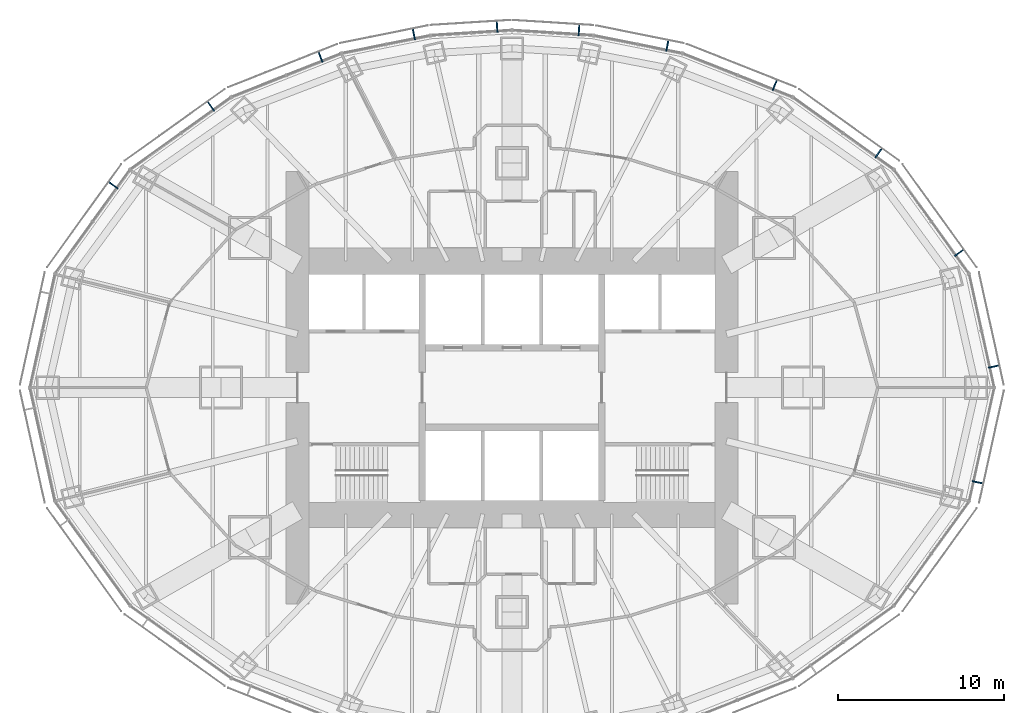
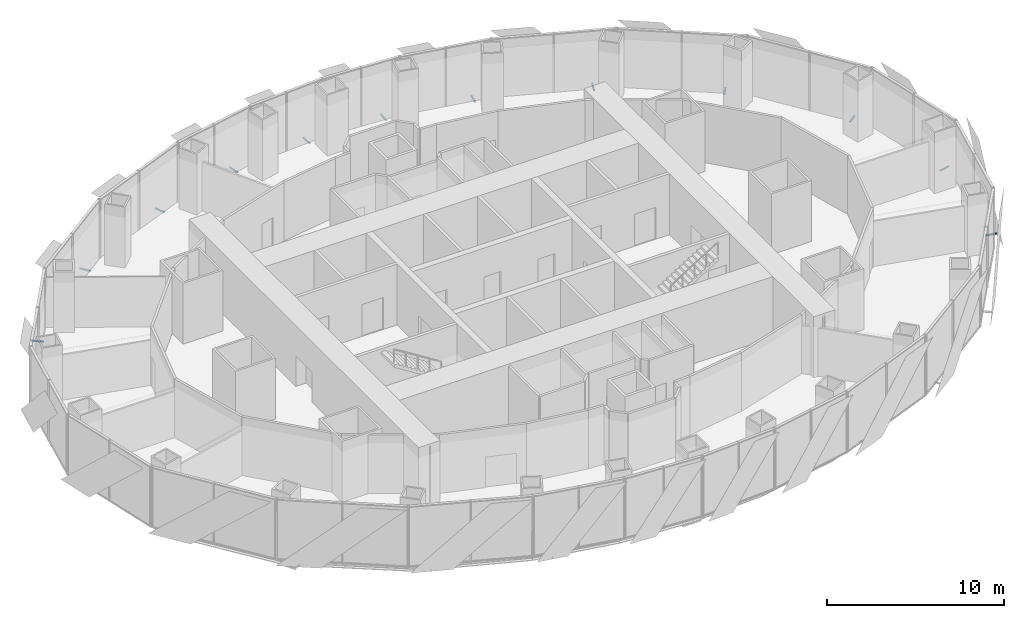
# One storey, part 14 of 17: 12 discrete accessories.
"""IFC4 building model written with IfcOpenShell, lengths in metres."""

import ifcopenshell
import ifcopenshell.guid

model = None  # the IFC model being written
_history = None  # IfcOwnerHistory: only IFC2X3 demands one
_inside = {}  # id of a spatial element -> (the spatial element, [elements in it])
_under = {}  # id of a project, library or spatial element -> (it, [spatial elements below it])
_declared = {}  # id of a project -> (the project, [libraries it declares])
_typed = {}  # id of a type object -> (the type object, [elements of that type])
_made_of = {}  # id of a material, layer set ... -> (it, [elements and type objects made of it])


def new_model(schema):
    """Start an empty IFC model of exactly this schema.

    Asked for "IFC4X3", IfcOpenShell would pick the latest addendum, in which some entities
    have other attributes; the version numbers below select the first issue.
    IFC2X3 requires an IfcOwnerHistory on every rooted entity: one is made here for all.
    """
    global model, _history
    if schema == "IFC4X3":
        model = ifcopenshell.file(schema_version=(4, 3, 0, 0))
    else:
        model = ifcopenshell.file(schema=schema)
    _inside.clear()
    _under.clear()
    _declared.clear()
    _typed.clear()
    _made_of.clear()
    _history = None
    if model.schema == "IFC2X3":
        org = make("IfcOrganization", Name="unknown")
        user = make(
            "IfcPersonAndOrganization",
            ThePerson=make("IfcPerson", FamilyName="unknown"),
            TheOrganization=org,
        )
        app = make(
            "IfcApplication",
            ApplicationDeveloper=org,
            Version="unknown",
            ApplicationFullName="unknown",
            ApplicationIdentifier="unknown",
        )
        _history = make(
            "IfcOwnerHistory",
            OwningUser=user,
            OwningApplication=app,
            ChangeAction="ADDED",
            CreationDate=0,
        )
    return model


def make(cls, **values):
    """One entity of the class cls with the attributes given. An attribute that is None is left unset."""
    return model.create_entity(
        cls, **{name: value for name, value in values.items() if value is not None}
    )


def rooted(cls, **values):
    """An entity with a GlobalId (a new one), such as an element, a storey or a relation."""
    return make(cls, GlobalId=ifcopenshell.guid.new(), OwnerHistory=_history, **values)


def si_unit(unit_type, name, prefix=None):
    """IfcSIUnit, for example si_unit("LENGTHUNIT", "METRE", prefix="MILLI")."""
    return make("IfcSIUnit", UnitType=unit_type, Prefix=prefix, Name=name)


def assignment(units):
    """IfcUnitAssignment: the units of a project."""
    return None if units is None else make("IfcUnitAssignment", Units=units)


def point(xyz):
    """IfcCartesianPoint."""
    return None if xyz is None else make("IfcCartesianPoint", Coordinates=xyz)


def direction(xyz):
    """IfcDirection."""
    return None if xyz is None else make("IfcDirection", DirectionRatios=xyz)


def frame(location, z_axis=None, x_axis=None):
    """IfcAxis2Placement3D, a coordinate frame: its origin and axes. An axis left out is left unset."""
    return make(
        "IfcAxis2Placement3D",
        Location=point(location),
        Axis=direction(z_axis),
        RefDirection=direction(x_axis),
    )


def frame_2d(location, x_axis=None):
    """IfcAxis2Placement2D, a coordinate frame in the plane: its origin and x axis."""
    return make(
        "IfcAxis2Placement2D", Location=point(location), RefDirection=direction(x_axis)
    )


def origin():
    """The frame at (0, 0, 0) with its axes left unset."""
    return frame((0.0, 0.0, 0.0))


def origin_2d():
    """The frame at (0, 0) in the plane with its x axis left unset."""
    return frame_2d((0.0, 0.0))


def place(relative_to, where):
    """IfcLocalPlacement: puts the frame where relative to a parent placement (None: the world)."""
    return make(
        "IfcLocalPlacement", PlacementRelTo=relative_to, RelativePlacement=where
    )


def context(
    kind, dimensions, precision=None, world=None, true_north=None, identifier=None
):
    """IfcGeometricRepresentationContext, for example the 3D "Model" context."""
    return make(
        "IfcGeometricRepresentationContext",
        ContextIdentifier=identifier,
        ContextType=kind,
        CoordinateSpaceDimension=dimensions,
        Precision=precision,
        WorldCoordinateSystem=world,
        TrueNorth=true_north,
    )


def subcontext(parent, identifier, kind, view, scale=None):
    """IfcGeometricRepresentationSubContext, for example "Body" below "Model"."""
    return make(
        "IfcGeometricRepresentationSubContext",
        ContextIdentifier=identifier,
        ContextType=kind,
        ParentContext=parent,
        TargetScale=scale,
        TargetView=view,
    )


def project(units=None, contexts=None):
    """IfcProject with its units and contexts."""
    return rooted(
        "IfcProject",
        Name="project",
        RepresentationContexts=contexts,
        UnitsInContext=assignment(units),
    )


def spatial(cls, under=None, at=None, **own):
    """A site, building, storey or space (cls), placed at a placement, below another one or the project."""
    s = rooted(cls, ObjectPlacement=at, **own)
    if under is not None:
        _under.setdefault(under.id(), (under, []))[1].append(s)
    return s


def profile(cls, at=None, kind="AREA", **sizes):
    """A parametric profile (cls). Its sizes go by their IFC names, for example OverallWidth=200.0."""
    return make(cls, ProfileType=kind, Position=at, **sizes)


def rectangle(**sizes):
    """IfcRectangleProfileDef."""
    return profile("IfcRectangleProfileDef", **sizes)


def extrude(swept, where, along, depth):
    """IfcExtrudedAreaSolid: the profile swept, set in the frame where, extruded along a direction by depth."""
    return make(
        "IfcExtrudedAreaSolid",
        SweptArea=swept,
        Position=where,
        ExtrudedDirection=direction(along),
        Depth=depth,
    )


def shape(context_of_items, identifier, shape_type, items):
    """IfcShapeRepresentation: the items that make up one representation, for example the "Body"."""
    return make(
        "IfcShapeRepresentation",
        ContextOfItems=context_of_items,
        RepresentationIdentifier=identifier,
        RepresentationType=shape_type,
        Items=items,
    )


def made_of(thing, what):
    """Note that an element or type object is made of a material, layer set ...; save() writes the relation."""
    if what is not None:
        _made_of.setdefault(what.id(), (what, []))[1].append(thing)
    return thing


def element(
    cls,
    number,
    at=None,
    inside=None,
    cuts=None,
    type_object=None,
    material=None,
    context=None,
    identifier="Body",
    shape_type=None,
    held_by="IfcProductDefinitionShape",
    body=None,
    shapes=None,
    **own,
):
    """One element of the class cls, such as IfcWall. Its Tag is "e" and its number.

    at: its placement. inside: the storey or other place that contains it. cuts: it is an
    opening in that element (IfcRelVoidsElement). A single representation is given by context,
    identifier, shape_type and body (its items); several are given by shapes. held_by: the class
    of the entity that holds the representations. save() writes the other relations.
    """
    e = rooted(cls, Tag="e%d" % number, ObjectPlacement=at, **own)
    if body is not None:
        shapes = [shape(context, identifier, shape_type, body)]
    if shapes is not None:
        e.Representation = make(held_by, Representations=shapes)
    if inside is not None:
        _inside.setdefault(inside.id(), (inside, []))[1].append(e)
    if cuts is not None:
        rooted(
            "IfcRelVoidsElement", RelatingBuildingElement=cuts, RelatedOpeningElement=e
        )
    if type_object is not None:
        _typed.setdefault(type_object.id(), (type_object, []))[1].append(e)
    return made_of(e, material)


def aggregate(whole, parts):
    """IfcRelAggregates: a whole, such as a stair, and the parts it consists of."""
    return rooted("IfcRelAggregates", RelatingObject=whole, RelatedObjects=parts)


def save(model, path):
    """Write the relations noted so far, then the file.

    IfcRelAggregates (storeys below a building ...), IfcRelContainedInSpatialStructure (elements
    in a storey), IfcRelDefinesByType, IfcRelAssociatesMaterial and IfcRelDeclares: one each for
    every whole, place, type object, material and project.
    """
    for whole, parts in _under.values():
        aggregate(whole, parts)
    for where, things in _inside.values():
        rooted(
            "IfcRelContainedInSpatialStructure",
            RelatedElements=things,
            RelatingStructure=where,
        )
    for kind, things in _typed.values():
        rooted("IfcRelDefinesByType", RelatedObjects=things, RelatingType=kind)
    for what, things in _made_of.values():
        rooted("IfcRelAssociatesMaterial", RelatedObjects=things, RelatingMaterial=what)
    for by, libraries in _declared.values():
        rooted("IfcRelDeclares", RelatingContext=by, RelatedDefinitions=libraries)
    model.write(path)


model = new_model("IFC4")

# Units and contexts
model_context = context("Model", 3, precision=1e-05, world=origin(), true_north=direction((0.0, 1.0)))
body_context = subcontext(model_context, "Body", "Model", "MODEL_VIEW")
ifc_project = project(units=[si_unit("LENGTHUNIT", "METRE"), si_unit("AREAUNIT", "SQUARE_METRE"), si_unit("VOLUMEUNIT", "CUBIC_METRE"), si_unit("PLANEANGLEUNIT", "RADIAN"), si_unit("MASSUNIT", "GRAM", prefix="KILO")], contexts=[model_context])

# Site, building, storey
site_placement = place(None, origin())
site = spatial("IfcSite", under=ifc_project, at=site_placement, CompositionType="ELEMENT")
building_placement = place(site_placement, origin())
building = spatial("IfcBuilding", under=site, at=building_placement, Name="Lantaw Convention Tower", CompositionType="ELEMENT")
storey_placement = place(building_placement, frame((0.0, 0.0, 117.39990234375)))
storey = spatial("IfcBuildingStorey", under=building, at=storey_placement, Name="L27", CompositionType="ELEMENT", Elevation=117.39990234375)

# Discrete accessories
for number, where, z_axis, x_axis, name in (
    (1, (28.98486328125, 1.269775390625, -0.114990234375), (0.0, 0.0, 1.0), (-0.215546166174, 0.9764936509, 0.0), "Screen bracket"),
    (2, (26.900146484375, 8.111572265625, -0.114990234375), (0.0, 0.0, 1.0), (-0.584512597221, 0.811384633629, 0.0), "Screen bracket"),
    (3, (22.044189453125, 14.10546875, -0.114990234375), (0.0, 0.0, 1.0), (-0.813208325995, 0.581972695693, 0.0), "Screen bracket"),
    (4, (15.802978515625, 18.18798828125, -0.114990234375), (0.0, 0.0, 1.0), (-0.929547687544, 0.368701907483, 0.0), "Screen bracket"),
    (5, (9.339599609375, 20.56005859375, -0.114990234375), (0.0, 0.0, 1.0), (-0.980301514912, 0.197506809659, 0.0), "Screen bracket"),
    (6, (4.027099609375, 21.505859375, -0.114990234375), (0.0, 0.0, 1.0), (-0.998022035978, 0.062865059466, 0.0), "Screen bracket"),
    (7, (-0.89794921875, 21.702880859375, -0.114990234375), (0.0, 0.0, 1.0), (-0.998022035978, -0.062865059466, 0.0), "Screen bracket"),
    (8, (-5.903076171875, 21.25244140625, -0.114990234375), (0.0, 0.0, 1.0), (-0.980301514912, -0.197506809659, 0.0), "Screen bracket"),
    (9, (-11.517822265625, 19.887939453125, -0.114990234375), (0.0, 0.0, 1.0), (-0.929547687544, -0.368701907483, 0.0), "Screen bracket"),
    (10, (-18.10791015625, 16.922607421875, -0.114990234375), (0.0, 0.0, 1.0), (-0.813208325995, -0.581972695693, 0.0), "Screen bracket"),
    (11, (-23.9765625, 12.169677734375, -0.114990234375), (0.0, 0.0, 1.0), (-0.584512597221, -0.811384633629, 0.0), "Screen bracket"),
    (12, (28.008056640625, -5.6953125, -0.114990234375), (0.0, 0.0, 1.0), (0.215546166174, 0.9764936509, 0.0), "Screen bracket"),
):
    element("IfcDiscreteAccessory", number, at=place(storey_placement, frame(where, z_axis=z_axis, x_axis=x_axis)), inside=storey, Name=name, PredefinedType="BRACKET", context=body_context, shape_type="SweptSolid", body=[
        extrude(rectangle(XDim=0.080078125, YDim=0.68798828125, at=origin_2d()), origin(), (0.0, 0.0, 1.0), 0.080078125),
    ])

save(model, "model.ifc")
